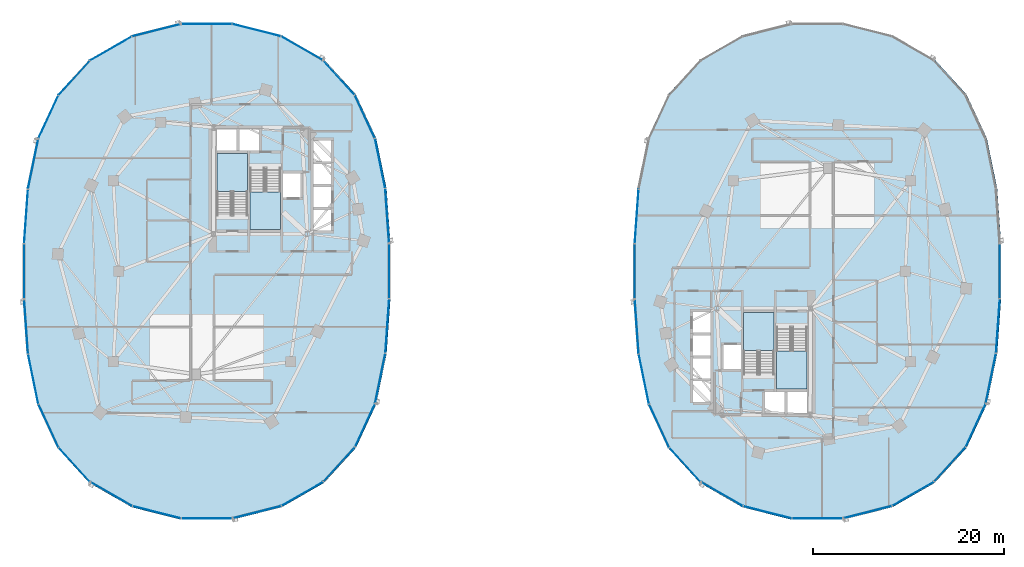
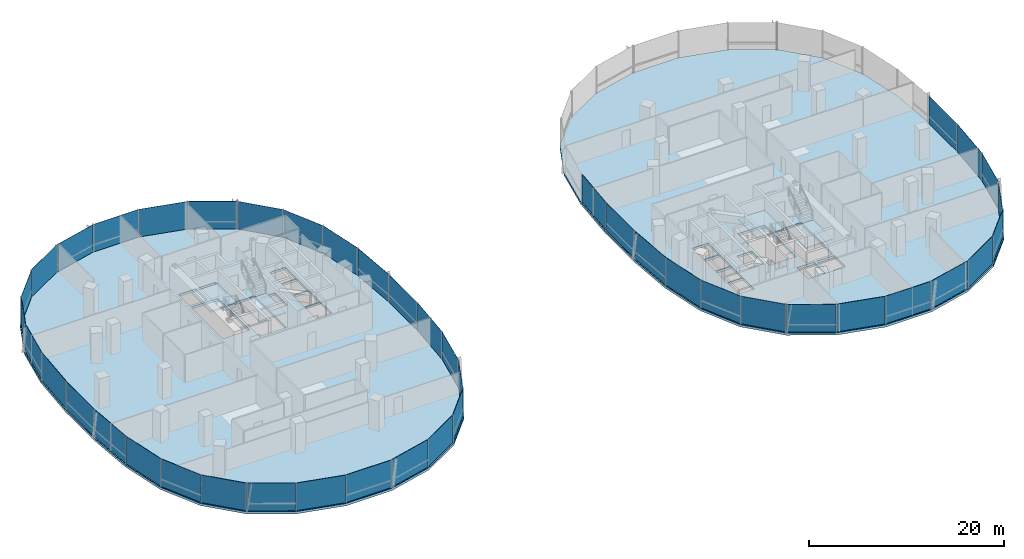
# One storey, part 9 of 21: 44 plates, 6 slabs, 11 elements without a shape of their own.
"""IFC4 building model written with IfcOpenShell, lengths in metres."""

from ifc_helpers import new_model, si_unit, direction, frame, origin, origin_2d, place, context, subcontext, project, spatial, polyline, rectangle, outline, extrude, material, layer, layer_set, type_object, element, aggregate, save


model = new_model("IFC4")

# Units and contexts
model_context = context("Model", 3, precision=1e-05, world=origin(), true_north=direction((0.0, 1.0)))
body_context = subcontext(model_context, "Body", "Model", "MODEL_VIEW")
ifc_project = project(units=[si_unit("LENGTHUNIT", "METRE"), si_unit("AREAUNIT", "SQUARE_METRE"), si_unit("VOLUMEUNIT", "CUBIC_METRE"), si_unit("PLANEANGLEUNIT", "RADIAN"), si_unit("MASSUNIT", "GRAM", prefix="KILO"), si_unit("THERMODYNAMICTEMPERATUREUNIT", "KELVIN"), si_unit("POWERUNIT", "WATT")], contexts=[model_context])

# Site, building, storey
site_placement = place(None, origin())
site = spatial("IfcSite", under=ifc_project, at=site_placement, CompositionType="ELEMENT")
building_placement = place(site_placement, origin())
building = spatial("IfcBuilding", under=site, at=building_placement, Name="Cundina Bronze Exchange", CompositionType="ELEMENT")
storey_placement = place(building_placement, frame((0.0, 0.0, 58.199951171875)))
storey = spatial("IfcBuildingStorey", under=building, at=storey_placement, Name="L14", CompositionType="ELEMENT", Elevation=58.199951171875)

# Curtain wall, plates
ifc_material_1 = material(Name="Anodised Bronze Aluminium 6063-T6", Category="aluminium")
curtain_wall_type = type_object("IfcCurtainWallType", Name="CWS-TRD-LOW", PredefinedType="NOTDEFINED", material=ifc_material_1)
curtain_wall_1_placement = place(storey_placement, origin())
curtain_wall_1 = element("IfcCurtainWall", 1, at=curtain_wall_1_placement, inside=storey, type_object=curtain_wall_type, Name="L14 CW-02 Curtain Wall Run CWR-L14-W1", PredefinedType="NOTDEFINED")
ifc_material_2 = material(Name="Heat-Strengthened Solar-Control Bronze Safety Glass 28mm", Category="glass")
ifc_layer_1 = layer(ifc_material_2, 0.028076171875, Name="Heat-Strengthened Solar-Control Bronze Safety Glass 28mm", Category="glass")
ifc_layer_set_1 = layer_set([ifc_layer_1], Name="Heat-Strengthened Solar-Control Bronze Safety Glass 28mm")
plate_type_1 = type_object("IfcPlateType", Name="PLT-GLZ-VIS28", PredefinedType="CURTAIN_PANEL", material=ifc_layer_set_1)
plate_1_placement = place(storey_placement, frame((-13.81591796875, 11.269775390625, 0.02001953125), z_axis=(0.0, 0.0, 1.0), x_axis=(-0.201419845156, 0.979505000486, 0.0)))
plate_1 = element("IfcPlate", 2, at=plate_1_placement, type_object=plate_type_1, Name="CW-02 Glazed Panel 2", PredefinedType="CURTAIN_PANEL", context=body_context, shape_type="SweptSolid", body=[
    extrude(rectangle(XDim=5.306640625, YDim=0.028076171875, at=origin_2d()), origin(), (0.0, 0.0, 1.0), 3.4599609375),
])
plate_2_placement = place(storey_placement, frame((-15.413818359375, 16.177734375, 0.02001953125), z_axis=(0.0, 0.0, 1.0), x_axis=(-0.42084583328, 0.907132175932, 0.0)))
plate_2 = element("IfcPlate", 3, at=plate_2_placement, type_object=plate_type_1, Name="CW-02 Glazed Panel 3", PredefinedType="CURTAIN_PANEL", context=body_context, shape_type="SweptSolid", body=[
    extrude(rectangle(XDim=4.966552734375, YDim=0.028076171875, at=origin_2d()), origin(), (0.0, 0.0, 1.0), 3.4599609375),
])
plate_3_placement = place(storey_placement, frame((-18.1259765625, 20.267333984375, 0.02001953125), z_axis=(0.0, 0.0, 1.0), x_axis=(-0.674276610219, 0.73847887777, 0.0)))
plate_3 = element("IfcPlate", 4, at=plate_3_placement, type_object=plate_type_1, Name="CW-02 Glazed Panel 4", PredefinedType="CURTAIN_PANEL", context=body_context, shape_type="SweptSolid", body=[
    extrude(rectangle(XDim=4.86328125, YDim=0.028076171875, at=origin_2d()), origin(), (0.0, 0.0, 1.0), 3.4599609375),
])
plate_4_placement = place(storey_placement, frame((-21.980712890625, 23.34423828125, 0.02001953125), z_axis=(0.0, 0.0, 1.0), x_axis=(-0.867105478933, 0.498124571171, 0.0)))
plate_4 = element("IfcPlate", 5, at=plate_4_placement, type_object=plate_type_1, Name="CW-02 Glazed Panel 5", PredefinedType="CURTAIN_PANEL", context=body_context, shape_type="SweptSolid", body=[
    extrude(rectangle(XDim=5.021240234375, YDim=0.028076171875, at=origin_2d()), origin(), (0.0, 0.0, 1.0), 3.4599609375),
])
plate_5_placement = place(storey_placement, frame((-32.0, 25.905029296875, 0.02001953125), z_axis=(0.0, 0.0, 1.0), x_axis=(-1.0, 0.0, 0.0)))
plate_5 = element("IfcPlate", 6, at=plate_5_placement, type_object=plate_type_1, Name="CW-02 Glazed Panel 7", PredefinedType="CURTAIN_PANEL", context=body_context, shape_type="SweptSolid", body=[
    extrude(rectangle(XDim=5.323974609375, YDim=0.028076171875, at=origin_2d()), origin(), (0.0, 0.0, 1.0), 3.4599609375),
])

curtain_wall_2_placement = place(storey_placement, origin())
curtain_wall_2 = element("IfcCurtainWall", 7, at=curtain_wall_2_placement, inside=storey, type_object=curtain_wall_type, Name="L14 CW-02 Curtain Wall Run CWR-L14-W2", PredefinedType="NOTDEFINED")
plate_6_placement = place(storey_placement, frame((-37.255615234375, 25.256591796875, 0.02001953125), z_axis=(0.0, 0.0, 1.0), x_axis=(-0.969488149345, -0.245138182011, 0.0)))
plate_6 = element("IfcPlate", 8, at=plate_6_placement, type_object=plate_type_1, Name="CW-02 Glazed Panel 1", PredefinedType="CURTAIN_PANEL", context=body_context, shape_type="SweptSolid", body=[
    extrude(rectangle(XDim=5.2333984375, YDim=0.028076171875, at=origin_2d()), origin(), (0.0, 0.0, 1.0), 3.4599609375),
])
plate_7_placement = place(storey_placement, frame((-42.019287109375, 23.34423828125, 0.02001953125), z_axis=(0.0, 0.0, 1.0), x_axis=(-0.867105478933, -0.498124571171, 0.0)))
plate_7 = element("IfcPlate", 9, at=plate_7_placement, type_object=plate_type_1, Name="CW-02 Glazed Panel 2", PredefinedType="CURTAIN_PANEL", context=body_context, shape_type="SweptSolid", body=[
    extrude(rectangle(XDim=5.021240234375, YDim=0.028076171875, at=origin_2d()), origin(), (0.0, 0.0, 1.0), 3.4599609375),
])
plate_8_placement = place(storey_placement, frame((-45.8740234375, 20.267333984375, 0.02001953125), z_axis=(0.0, 0.0, 1.0), x_axis=(-0.674276610219, -0.73847887777, 0.0)))
plate_8 = element("IfcPlate", 10, at=plate_8_placement, type_object=plate_type_1, Name="CW-02 Glazed Panel 3", PredefinedType="CURTAIN_PANEL", context=body_context, shape_type="SweptSolid", body=[
    extrude(rectangle(XDim=4.86328125, YDim=0.028076171875, at=origin_2d()), origin(), (0.0, 0.0, 1.0), 3.4599609375),
])
plate_9_placement = place(storey_placement, frame((-48.586181640625, 16.177734375, 0.02001953125), z_axis=(0.0, 0.0, 1.0), x_axis=(-0.42084583328, -0.907132175932, 0.0)))
plate_9 = element("IfcPlate", 11, at=plate_9_placement, type_object=plate_type_1, Name="CW-02 Glazed Panel 4", PredefinedType="CURTAIN_PANEL", context=body_context, shape_type="SweptSolid", body=[
    extrude(rectangle(XDim=4.966552734375, YDim=0.028076171875, at=origin_2d()), origin(), (0.0, 0.0, 1.0), 3.4599609375),
])
plate_10_placement = place(storey_placement, frame((-50.9267578125, 5.783935546875, 0.02001953125), z_axis=(0.0, 0.0, 1.0), x_axis=(-0.070278787473, -0.997527389113, 0.0)))
plate_10 = element("IfcPlate", 12, at=plate_10_placement, type_object=plate_type_1, Name="CW-02 Glazed Panel 6", PredefinedType="CURTAIN_PANEL", context=body_context, shape_type="SweptSolid", body=[
    extrude(rectangle(XDim=5.644287109375, YDim=0.028076171875, at=origin_2d()), origin(), (0.0, 0.0, 1.0), 3.4599609375),
])
plate_11_placement = place(storey_placement, frame((-51.1279296875, 0.0, 0.02001953125), z_axis=(0.0, 0.0, 1.0), x_axis=(0.0, -1.0, 0.0)))
plate_11 = element("IfcPlate", 13, at=plate_11_placement, type_object=plate_type_1, Name="CW-02 Glazed Panel 7", PredefinedType="CURTAIN_PANEL", context=body_context, shape_type="SweptSolid", body=[
    extrude(rectangle(XDim=5.77587890625, YDim=0.028076171875, at=origin_2d()), origin(), (0.0, 0.0, 1.0), 3.4599609375),
])

curtain_wall_3_placement = place(storey_placement, origin())
curtain_wall_3 = element("IfcCurtainWall", 14, at=curtain_wall_3_placement, inside=storey, type_object=curtain_wall_type, Name="L14 CW-02 Curtain Wall Run CWR-L14-W3", PredefinedType="NOTDEFINED")
plate_12_placement = place(storey_placement, frame((-50.9267578125, -5.783935546875, 0.02001953125), z_axis=(0.0, 0.0, 1.0), x_axis=(0.070278787473, -0.997527389113, 0.0)))
plate_12 = element("IfcPlate", 15, at=plate_12_placement, type_object=plate_type_1, Name="CW-02 Glazed Panel 1", PredefinedType="CURTAIN_PANEL", context=body_context, shape_type="SweptSolid", body=[
    extrude(rectangle(XDim=5.644287109375, YDim=0.028076171875, at=origin_2d()), origin(), (0.0, 0.0, 1.0), 3.4599609375),
])
plate_13_placement = place(storey_placement, frame((-50.18408203125, -11.269775390625, 0.02001953125), z_axis=(0.0, 0.0, 1.0), x_axis=(0.201419845156, -0.979505000486, 0.0)))
plate_13 = element("IfcPlate", 16, at=plate_13_placement, type_object=plate_type_1, Name="CW-02 Glazed Panel 2", PredefinedType="CURTAIN_PANEL", context=body_context, shape_type="SweptSolid", body=[
    extrude(rectangle(XDim=5.306640625, YDim=0.028076171875, at=origin_2d()), origin(), (0.0, 0.0, 1.0), 3.4599609375),
])
plate_14_placement = place(storey_placement, frame((-48.586181640625, -16.177734375, 0.02001953125), z_axis=(0.0, 0.0, 1.0), x_axis=(0.42084583328, -0.907132175932, 0.0)))
plate_14 = element("IfcPlate", 17, at=plate_14_placement, type_object=plate_type_1, Name="CW-02 Glazed Panel 3", PredefinedType="CURTAIN_PANEL", context=body_context, shape_type="SweptSolid", body=[
    extrude(rectangle(XDim=4.966552734375, YDim=0.028076171875, at=origin_2d()), origin(), (0.0, 0.0, 1.0), 3.4599609375),
])
plate_15_placement = place(storey_placement, frame((-42.019287109375, -23.34423828125, 0.02001953125), z_axis=(0.0, 0.0, 1.0), x_axis=(0.867105478933, -0.498124571171, 0.0)))
plate_15 = element("IfcPlate", 18, at=plate_15_placement, type_object=plate_type_1, Name="CW-02 Glazed Panel 5", PredefinedType="CURTAIN_PANEL", context=body_context, shape_type="SweptSolid", body=[
    extrude(rectangle(XDim=5.021240234375, YDim=0.028076171875, at=origin_2d()), origin(), (0.0, 0.0, 1.0), 3.4599609375),
])
plate_16_placement = place(storey_placement, frame((-37.255615234375, -25.256591796875, 0.02001953125), z_axis=(0.0, 0.0, 1.0), x_axis=(0.969488149345, -0.245138182011, 0.0)))
plate_16 = element("IfcPlate", 19, at=plate_16_placement, type_object=plate_type_1, Name="CW-02 Glazed Panel 6", PredefinedType="CURTAIN_PANEL", context=body_context, shape_type="SweptSolid", body=[
    extrude(rectangle(XDim=5.2333984375, YDim=0.028076171875, at=origin_2d()), origin(), (0.0, 0.0, 1.0), 3.4599609375),
])
plate_17_placement = place(storey_placement, frame((-32.0, -25.905029296875, 0.02001953125), z_axis=(0.0, 0.0, 1.0), x_axis=(1.0, 0.0, 0.0)))
plate_17 = element("IfcPlate", 20, at=plate_17_placement, type_object=plate_type_1, Name="CW-02 Glazed Panel 7", PredefinedType="CURTAIN_PANEL", context=body_context, shape_type="SweptSolid", body=[
    extrude(rectangle(XDim=5.323974609375, YDim=0.028076171875, at=origin_2d()), origin(), (0.0, 0.0, 1.0), 3.4599609375),
])

curtain_wall_4_placement = place(storey_placement, origin())
curtain_wall_4 = element("IfcCurtainWall", 21, at=curtain_wall_4_placement, inside=storey, type_object=curtain_wall_type, Name="L14 CW-02 Curtain Wall Run CWR-L14-W4", PredefinedType="NOTDEFINED")
plate_18_placement = place(storey_placement, frame((-26.744384765625, -25.256591796875, 0.02001953125), z_axis=(0.0, 0.0, 1.0), x_axis=(0.969488149345, 0.245138182011, 0.0)))
plate_18 = element("IfcPlate", 22, at=plate_18_placement, type_object=plate_type_1, Name="CW-02 Glazed Panel 1", PredefinedType="CURTAIN_PANEL", context=body_context, shape_type="SweptSolid", body=[
    extrude(rectangle(XDim=5.2333984375, YDim=0.028076171875, at=origin_2d()), origin(), (0.0, 0.0, 1.0), 3.4599609375),
])
plate_19_placement = place(storey_placement, frame((-21.980712890625, -23.34423828125, 0.02001953125), z_axis=(0.0, 0.0, 1.0), x_axis=(0.867105478933, 0.498124571171, 0.0)))
plate_19 = element("IfcPlate", 23, at=plate_19_placement, type_object=plate_type_1, Name="CW-02 Glazed Panel 2", PredefinedType="CURTAIN_PANEL", context=body_context, shape_type="SweptSolid", body=[
    extrude(rectangle(XDim=5.021240234375, YDim=0.028076171875, at=origin_2d()), origin(), (0.0, 0.0, 1.0), 3.4599609375),
])
plate_20_placement = place(storey_placement, frame((-15.413818359375, -16.177734375, 0.02001953125), z_axis=(0.0, 0.0, 1.0), x_axis=(0.42084583328, 0.907132175932, 0.0)))
plate_20 = element("IfcPlate", 24, at=plate_20_placement, type_object=plate_type_1, Name="CW-02 Glazed Panel 4", PredefinedType="CURTAIN_PANEL", context=body_context, shape_type="SweptSolid", body=[
    extrude(rectangle(XDim=4.966552734375, YDim=0.028076171875, at=origin_2d()), origin(), (0.0, 0.0, 1.0), 3.4599609375),
])
plate_21_placement = place(storey_placement, frame((-13.81591796875, -11.269775390625, 0.02001953125), z_axis=(0.0, 0.0, 1.0), x_axis=(0.201419845156, 0.979505000486, 0.0)))
plate_21 = element("IfcPlate", 25, at=plate_21_placement, type_object=plate_type_1, Name="CW-02 Glazed Panel 5", PredefinedType="CURTAIN_PANEL", context=body_context, shape_type="SweptSolid", body=[
    extrude(rectangle(XDim=5.306640625, YDim=0.028076171875, at=origin_2d()), origin(), (0.0, 0.0, 1.0), 3.4599609375),
])
plate_22_placement = place(storey_placement, frame((-13.0732421875, -5.783935546875, 0.02001953125), z_axis=(0.0, 0.0, 1.0), x_axis=(0.070278787473, 0.997527389113, 0.0)))
plate_22 = element("IfcPlate", 26, at=plate_22_placement, type_object=plate_type_1, Name="CW-02 Glazed Panel 6", PredefinedType="CURTAIN_PANEL", context=body_context, shape_type="SweptSolid", body=[
    extrude(rectangle(XDim=5.644287109375, YDim=0.028076171875, at=origin_2d()), origin(), (0.0, 0.0, 1.0), 3.4599609375),
])
plate_23_placement = place(storey_placement, frame((-12.8720703125, 0.0, 0.02001953125), z_axis=(0.0, 0.0, 1.0), x_axis=(0.0, 1.0, 0.0)))
plate_23 = element("IfcPlate", 27, at=plate_23_placement, type_object=plate_type_1, Name="CW-02 Glazed Panel 7", PredefinedType="CURTAIN_PANEL", context=body_context, shape_type="SweptSolid", body=[
    extrude(rectangle(XDim=5.77587890625, YDim=0.028076171875, at=origin_2d()), origin(), (0.0, 0.0, 1.0), 3.4599609375),
])

curtain_wall_5_placement = place(storey_placement, origin())
curtain_wall_5 = element("IfcCurtainWall", 28, at=curtain_wall_5_placement, inside=storey, type_object=curtain_wall_type, Name="L14 CW-02 Curtain Wall Run CWR-L14-E2", PredefinedType="NOTDEFINED")
plate_24_placement = place(storey_placement, frame((13.0732421875, 5.783935546875, 0.02001953125), z_axis=(0.0, 0.0, 1.0), x_axis=(-0.070278787473, -0.997527389113, 0.0)))
plate_24 = element("IfcPlate", 29, at=plate_24_placement, type_object=plate_type_1, Name="CW-02 Glazed Panel 6", PredefinedType="CURTAIN_PANEL", context=body_context, shape_type="SweptSolid", body=[
    extrude(rectangle(XDim=5.644287109375, YDim=0.028076171875, at=origin_2d()), origin(), (0.0, 0.0, 1.0), 3.4599609375),
])
plate_25_placement = place(storey_placement, frame((12.8720703125, 0.0, 0.02001953125), z_axis=(0.0, 0.0, 1.0), x_axis=(0.0, -1.0, 0.0)))
plate_25 = element("IfcPlate", 30, at=plate_25_placement, type_object=plate_type_1, Name="CW-02 Glazed Panel 7", PredefinedType="CURTAIN_PANEL", context=body_context, shape_type="SweptSolid", body=[
    extrude(rectangle(XDim=5.77587890625, YDim=0.028076171875, at=origin_2d()), origin(), (0.0, 0.0, 1.0), 3.4599609375),
])
aggregate(curtain_wall_5, [plate_24, plate_25])

curtain_wall_6_placement = place(storey_placement, origin())
curtain_wall_6 = element("IfcCurtainWall", 31, at=curtain_wall_6_placement, inside=storey, type_object=curtain_wall_type, Name="L14 CW-02 Curtain Wall Run CWR-L14-E3", PredefinedType="NOTDEFINED")
plate_26_placement = place(storey_placement, frame((13.0732421875, -5.783935546875, 0.02001953125), z_axis=(0.0, 0.0, 1.0), x_axis=(0.070278787473, -0.997527389113, 0.0)))
plate_26 = element("IfcPlate", 32, at=plate_26_placement, type_object=plate_type_1, Name="CW-02 Glazed Panel 1", PredefinedType="CURTAIN_PANEL", context=body_context, shape_type="SweptSolid", body=[
    extrude(rectangle(XDim=5.644287109375, YDim=0.028076171875, at=origin_2d()), origin(), (0.0, 0.0, 1.0), 3.4599609375),
])
plate_27_placement = place(storey_placement, frame((13.81591796875, -11.269775390625, 0.02001953125), z_axis=(0.0, 0.0, 1.0), x_axis=(0.201419845156, -0.979505000486, 0.0)))
plate_27 = element("IfcPlate", 33, at=plate_27_placement, type_object=plate_type_1, Name="CW-02 Glazed Panel 2", PredefinedType="CURTAIN_PANEL", context=body_context, shape_type="SweptSolid", body=[
    extrude(rectangle(XDim=5.306640625, YDim=0.028076171875, at=origin_2d()), origin(), (0.0, 0.0, 1.0), 3.4599609375),
])
plate_28_placement = place(storey_placement, frame((15.413818359375, -16.177734375, 0.02001953125), z_axis=(0.0, 0.0, 1.0), x_axis=(0.42084583328, -0.907132175932, 0.0)))
plate_28 = element("IfcPlate", 34, at=plate_28_placement, type_object=plate_type_1, Name="CW-02 Glazed Panel 3", PredefinedType="CURTAIN_PANEL", context=body_context, shape_type="SweptSolid", body=[
    extrude(rectangle(XDim=4.966552734375, YDim=0.028076171875, at=origin_2d()), origin(), (0.0, 0.0, 1.0), 3.4599609375),
])
plate_29_placement = place(storey_placement, frame((21.980712890625, -23.34423828125, 0.02001953125), z_axis=(0.0, 0.0, 1.0), x_axis=(0.867105478933, -0.498124571171, 0.0)))
plate_29 = element("IfcPlate", 35, at=plate_29_placement, type_object=plate_type_1, Name="CW-02 Glazed Panel 5", PredefinedType="CURTAIN_PANEL", context=body_context, shape_type="SweptSolid", body=[
    extrude(rectangle(XDim=5.021240234375, YDim=0.028076171875, at=origin_2d()), origin(), (0.0, 0.0, 1.0), 3.4599609375),
])
plate_30_placement = place(storey_placement, frame((26.744384765625, -25.256591796875, 0.02001953125), z_axis=(0.0, 0.0, 1.0), x_axis=(0.969488149345, -0.245138182011, 0.0)))
plate_30 = element("IfcPlate", 36, at=plate_30_placement, type_object=plate_type_1, Name="CW-02 Glazed Panel 6", PredefinedType="CURTAIN_PANEL", context=body_context, shape_type="SweptSolid", body=[
    extrude(rectangle(XDim=5.2333984375, YDim=0.028076171875, at=origin_2d()), origin(), (0.0, 0.0, 1.0), 3.4599609375),
])
plate_31_placement = place(storey_placement, frame((32.0, -25.905029296875, 0.02001953125), z_axis=(0.0, 0.0, 1.0), x_axis=(1.0, 0.0, 0.0)))
plate_31 = element("IfcPlate", 37, at=plate_31_placement, type_object=plate_type_1, Name="CW-02 Glazed Panel 7", PredefinedType="CURTAIN_PANEL", context=body_context, shape_type="SweptSolid", body=[
    extrude(rectangle(XDim=5.323974609375, YDim=0.028076171875, at=origin_2d()), origin(), (0.0, 0.0, 1.0), 3.4599609375),
])

curtain_wall_7_placement = place(storey_placement, origin())
curtain_wall_7 = element("IfcCurtainWall", 38, at=curtain_wall_7_placement, inside=storey, type_object=curtain_wall_type, Name="L14 CW-02 Curtain Wall Run CWR-L14-E4", PredefinedType="NOTDEFINED")
plate_32_placement = place(storey_placement, frame((37.255615234375, -25.256591796875, 0.02001953125), z_axis=(0.0, 0.0, 1.0), x_axis=(0.969488149345, 0.245138182011, 0.0)))
plate_32 = element("IfcPlate", 39, at=plate_32_placement, type_object=plate_type_1, Name="CW-02 Glazed Panel 1", PredefinedType="CURTAIN_PANEL", context=body_context, shape_type="SweptSolid", body=[
    extrude(rectangle(XDim=5.2333984375, YDim=0.028076171875, at=origin_2d()), origin(), (0.0, 0.0, 1.0), 3.4599609375),
])
plate_33_placement = place(storey_placement, frame((42.019287109375, -23.34423828125, 0.02001953125), z_axis=(0.0, 0.0, 1.0), x_axis=(0.867105478933, 0.498124571171, 0.0)))
plate_33 = element("IfcPlate", 40, at=plate_33_placement, type_object=plate_type_1, Name="CW-02 Glazed Panel 2", PredefinedType="CURTAIN_PANEL", context=body_context, shape_type="SweptSolid", body=[
    extrude(rectangle(XDim=5.021240234375, YDim=0.028076171875, at=origin_2d()), origin(), (0.0, 0.0, 1.0), 3.4599609375),
])
plate_34_placement = place(storey_placement, frame((48.586181640625, -16.177734375, 0.02001953125), z_axis=(0.0, 0.0, 1.0), x_axis=(0.42084583328, 0.907132175932, 0.0)))
plate_34 = element("IfcPlate", 41, at=plate_34_placement, type_object=plate_type_1, Name="CW-02 Glazed Panel 4", PredefinedType="CURTAIN_PANEL", context=body_context, shape_type="SweptSolid", body=[
    extrude(rectangle(XDim=4.966552734375, YDim=0.028076171875, at=origin_2d()), origin(), (0.0, 0.0, 1.0), 3.4599609375),
])
plate_35_placement = place(storey_placement, frame((50.18408203125, -11.269775390625, 0.02001953125), z_axis=(0.0, 0.0, 1.0), x_axis=(0.201419845156, 0.979505000486, 0.0)))
plate_35 = element("IfcPlate", 42, at=plate_35_placement, type_object=plate_type_1, Name="CW-02 Glazed Panel 5", PredefinedType="CURTAIN_PANEL", context=body_context, shape_type="SweptSolid", body=[
    extrude(rectangle(XDim=5.306640625, YDim=0.028076171875, at=origin_2d()), origin(), (0.0, 0.0, 1.0), 3.4599609375),
])
plate_36_placement = place(storey_placement, frame((50.9267578125, -5.783935546875, 0.02001953125), z_axis=(0.0, 0.0, 1.0), x_axis=(0.070278787473, 0.997527389113, 0.0)))
plate_36 = element("IfcPlate", 43, at=plate_36_placement, type_object=plate_type_1, Name="CW-02 Glazed Panel 6", PredefinedType="CURTAIN_PANEL", context=body_context, shape_type="SweptSolid", body=[
    extrude(rectangle(XDim=5.644287109375, YDim=0.028076171875, at=origin_2d()), origin(), (0.0, 0.0, 1.0), 3.4599609375),
])
plate_37_placement = place(storey_placement, frame((51.1279296875, 0.0, 0.02001953125), z_axis=(0.0, 0.0, 1.0), x_axis=(0.0, 1.0, 0.0)))
plate_37 = element("IfcPlate", 44, at=plate_37_placement, type_object=plate_type_1, Name="CW-02 Glazed Panel 7", PredefinedType="CURTAIN_PANEL", context=body_context, shape_type="SweptSolid", body=[
    extrude(rectangle(XDim=5.77587890625, YDim=0.028076171875, at=origin_2d()), origin(), (0.0, 0.0, 1.0), 3.4599609375),
])

# Plate
ifc_material_3 = material(Name="Dark Bronze Spandrel Glass Panel 32mm", Category="glass")
ifc_layer_2 = layer(ifc_material_3, 0.031982421875, Name="Dark Bronze Spandrel Glass Panel 32mm", Category="glass")
ifc_layer_set_2 = layer_set([ifc_layer_2], Name="Dark Bronze Spandrel Glass Panel 32mm")
plate_type_2 = type_object("IfcPlateType", Name="PLT-SPN-BRZ32", PredefinedType="CURTAIN_PANEL", material=ifc_layer_set_2)
plate_38_placement = place(storey_placement, frame((-13.0732421875, 5.783935546875, 0.02001953125), z_axis=(0.0, 0.0, 1.0), x_axis=(-0.070278787473, 0.997527389113, 0.0)))
plate_38 = element("IfcPlate", 45, at=plate_38_placement, type_object=plate_type_2, Name="CW-02 Glazed Panel 1", PredefinedType="CURTAIN_PANEL", context=body_context, shape_type="SweptSolid", body=[
    extrude(rectangle(XDim=5.644287109375, YDim=0.031982421875, at=origin_2d()), origin(), (0.0, 0.0, 1.0), 3.4599609375),
])

plate_39_placement = place(storey_placement, frame((-26.744384765625, 25.256591796875, 0.02001953125), z_axis=(0.0, 0.0, 1.0), x_axis=(-0.969488149345, 0.245138182011, 0.0)))
plate_39 = element("IfcPlate", 46, at=plate_39_placement, type_object=plate_type_2, Name="CW-02 Glazed Panel 6", PredefinedType="CURTAIN_PANEL", context=body_context, shape_type="SweptSolid", body=[
    extrude(rectangle(XDim=5.2333984375, YDim=0.031982421875, at=origin_2d()), origin(), (0.0, 0.0, 1.0), 3.4599609375),
])

aggregate(curtain_wall_1, [plate_38, plate_1, plate_2, plate_3, plate_4, plate_39, plate_5])

plate_40_placement = place(storey_placement, frame((-50.18408203125, 11.269775390625, 0.02001953125), z_axis=(0.0, 0.0, 1.0), x_axis=(-0.201419845156, -0.979505000486, 0.0)))
plate_40 = element("IfcPlate", 47, at=plate_40_placement, type_object=plate_type_2, Name="CW-02 Glazed Panel 5", PredefinedType="CURTAIN_PANEL", context=body_context, shape_type="SweptSolid", body=[
    extrude(rectangle(XDim=5.306640625, YDim=0.031982421875, at=origin_2d()), origin(), (0.0, 0.0, 1.0), 3.4599609375),
])

aggregate(curtain_wall_2, [plate_6, plate_7, plate_8, plate_9, plate_40, plate_10, plate_11])

plate_41_placement = place(storey_placement, frame((-45.8740234375, -20.267333984375, 0.02001953125), z_axis=(0.0, 0.0, 1.0), x_axis=(0.674276610219, -0.73847887777, 0.0)))
plate_41 = element("IfcPlate", 48, at=plate_41_placement, type_object=plate_type_2, Name="CW-02 Glazed Panel 4", PredefinedType="CURTAIN_PANEL", context=body_context, shape_type="SweptSolid", body=[
    extrude(rectangle(XDim=4.86328125, YDim=0.031982421875, at=origin_2d()), origin(), (0.0, 0.0, 1.0), 3.4599609375),
])

aggregate(curtain_wall_3, [plate_12, plate_13, plate_14, plate_41, plate_15, plate_16, plate_17])

plate_42_placement = place(storey_placement, frame((-18.1259765625, -20.267333984375, 0.02001953125), z_axis=(0.0, 0.0, 1.0), x_axis=(0.674276610219, 0.73847887777, 0.0)))
plate_42 = element("IfcPlate", 49, at=plate_42_placement, type_object=plate_type_2, Name="CW-02 Glazed Panel 3", PredefinedType="CURTAIN_PANEL", context=body_context, shape_type="SweptSolid", body=[
    extrude(rectangle(XDim=4.86328125, YDim=0.031982421875, at=origin_2d()), origin(), (0.0, 0.0, 1.0), 3.4599609375),
])

aggregate(curtain_wall_4, [plate_18, plate_19, plate_42, plate_20, plate_21, plate_22, plate_23])

plate_43_placement = place(storey_placement, frame((18.1259765625, -20.267333984375, 0.02001953125), z_axis=(0.0, 0.0, 1.0), x_axis=(0.674276610219, -0.73847887777, 0.0)))
plate_43 = element("IfcPlate", 50, at=plate_43_placement, type_object=plate_type_2, Name="CW-02 Glazed Panel 4", PredefinedType="CURTAIN_PANEL", context=body_context, shape_type="SweptSolid", body=[
    extrude(rectangle(XDim=4.86328125, YDim=0.031982421875, at=origin_2d()), origin(), (0.0, 0.0, 1.0), 3.4599609375),
])

aggregate(curtain_wall_6, [plate_26, plate_27, plate_28, plate_43, plate_29, plate_30, plate_31])

plate_44_placement = place(storey_placement, frame((45.8740234375, -20.267333984375, 0.02001953125), z_axis=(0.0, 0.0, 1.0), x_axis=(0.674276610219, 0.73847887777, 0.0)))
plate_44 = element("IfcPlate", 51, at=plate_44_placement, type_object=plate_type_2, Name="CW-02 Glazed Panel 3", PredefinedType="CURTAIN_PANEL", context=body_context, shape_type="SweptSolid", body=[
    extrude(rectangle(XDim=4.86328125, YDim=0.031982421875, at=origin_2d()), origin(), (0.0, 0.0, 1.0), 3.4599609375),
])

aggregate(curtain_wall_7, [plate_32, plate_33, plate_44, plate_34, plate_35, plate_36, plate_37])

# Stair, slab
ifc_material_4 = material(Name="Concrete C40/50", Category="concrete")
stair_type = type_object("IfcStairType", Name="STR-TRD-380", PredefinedType="HALF_TURN_STAIR", material=ifc_material_4)
stair_1_placement = place(storey_placement, origin())
stair_1 = element("IfcStair", 52, at=stair_1_placement, inside=storey, type_object=stair_type, Name="L14 Smokeproof Exit Stair W1", PredefinedType="HALF_TURN_STAIR")
ifc_layer_3 = layer(ifc_material_4, 0.199951171875, Name="Concrete C40/50", Category="concrete")
ifc_layer_set_3 = layer_set([ifc_layer_3], Name="Concrete C40/50")
slab_type_1 = type_object("IfcSlabType", Name="SLB-LND-200", PredefinedType="LANDING", material=ifc_layer_set_3)
slab_1_placement = place(storey_placement, frame((0.0, 0.0, 1.699951171875)))
slab_1 = element("IfcSlab", 53, at=slab_1_placement, type_object=slab_type_1, Name="ST-W1 landing 1", PredefinedType="LANDING", context=body_context, shape_type="SweptSolid", body=[
    extrude(outline(polyline([(-27.739990234375, 8.3701171875), (-27.739990234375, 12.35009765625), (-30.89990234375, 12.35009765625), (-30.89990234375, 8.3701171875), (-27.739990234375, 8.3701171875)])), origin(), (0.0, 0.0, 1.0), 0.2001953125),
])
aggregate(stair_1, [slab_1])

stair_2_placement = place(storey_placement, origin())
stair_2 = element("IfcStair", 54, at=stair_2_placement, inside=storey, type_object=stair_type, Name="L14 Smokeproof Exit Stair W2", PredefinedType="HALF_TURN_STAIR")
slab_2_placement = place(storey_placement, frame((0.0, 0.0, 1.699951171875)))
slab_2 = element("IfcSlab", 55, at=slab_2_placement, type_object=slab_type_1, Name="ST-W2 landing 1", PredefinedType="LANDING", context=body_context, shape_type="SweptSolid", body=[
    extrude(outline(polyline([(-27.43994140625, 8.330078125), (-27.43994140625, 4.35009765625), (-24.280029296875, 4.35009765625), (-24.280029296875, 8.330078125), (-27.43994140625, 8.330078125)])), origin(), (0.0, 0.0, 1.0), 0.2001953125),
])
aggregate(stair_2, [slab_2])

stair_3_placement = place(storey_placement, origin())
stair_3 = element("IfcStair", 56, at=stair_3_placement, inside=storey, type_object=stair_type, Name="L14 Smokeproof Exit Stair E1", PredefinedType="HALF_TURN_STAIR")
slab_3_placement = place(storey_placement, frame((0.0, 0.0, 1.699951171875)))
slab_3 = element("IfcSlab", 57, at=slab_3_placement, type_object=slab_type_1, Name="ST-E1 landing 1", PredefinedType="LANDING", context=body_context, shape_type="SweptSolid", body=[
    extrude(outline(polyline([(27.739990234375, -8.3701171875), (27.739990234375, -12.35009765625), (30.89990234375, -12.35009765625), (30.89990234375, -8.3701171875), (27.739990234375, -8.3701171875)])), origin(), (0.0, 0.0, 1.0), 0.2001953125),
])
aggregate(stair_3, [slab_3])

stair_4_placement = place(storey_placement, origin())
stair_4 = element("IfcStair", 58, at=stair_4_placement, inside=storey, type_object=stair_type, Name="L14 Smokeproof Exit Stair E2", PredefinedType="HALF_TURN_STAIR")
slab_4_placement = place(storey_placement, frame((0.0, 0.0, 1.699951171875)))
slab_4 = element("IfcSlab", 59, at=slab_4_placement, type_object=slab_type_1, Name="ST-E2 landing 1", PredefinedType="LANDING", context=body_context, shape_type="SweptSolid", body=[
    extrude(outline(polyline([(27.43994140625, -8.330078125), (27.43994140625, -4.35009765625), (24.280029296875, -4.35009765625), (24.280029296875, -8.330078125), (27.43994140625, -8.330078125)])), origin(), (0.0, 0.0, 1.0), 0.2001953125),
])
aggregate(stair_4, [slab_4])

# Slabs
ifc_material_5 = material(Name="Concrete C50/60", Category="concrete")
ifc_layer_4 = layer(ifc_material_5, 0.300048828125, Name="Concrete C50/60", Category="concrete")
ifc_layer_set_4 = layer_set([ifc_layer_4], Name="Concrete C50/60")
slab_type_2 = type_object("IfcSlabType", Name="SLB-TRD-300", PredefinedType="FLOOR", material=ifc_layer_set_4)
slab_5_placement = place(storey_placement, frame((0.0, 0.0, -0.300048828125)))
element("IfcSlab", 60, at=slab_5_placement, inside=storey, type_object=slab_type_2, Name="L14 Leg W Structural Floor Slab", PredefinedType="FLOOR", context=body_context, shape_type="SweptSolid", body=[
    extrude(outline(polyline([(-12.741943359375, 2.93310546875), (-13.14501953125, 8.653076171875), (-14.23193359375, 13.93896484375), (-16.360107421875, 18.52587890625), (-19.699951171875, 22.18408203125), (-24.132080078125, 24.72998046875), (-29.29296875, 26.034912109375), (-34.70703125, 26.034912109375), (-39.867919921875, 24.72998046875), (-44.300048828125, 22.18408203125), (-47.639892578125, 18.52587890625), (-49.76806640625, 13.93896484375), (-50.85498046875, 8.653076171875), (-51.258056640625, 2.93310546875), (-51.258056640625, -2.93310546875), (-50.85498046875, -8.653076171875), (-49.76806640625, -13.93896484375), (-47.639892578125, -18.52587890625), (-44.300048828125, -22.18408203125), (-39.867919921875, -24.72998046875), (-34.70703125, -26.034912109375), (-29.29296875, -26.034912109375), (-24.132080078125, -24.72998046875), (-19.699951171875, -22.18408203125), (-16.360107421875, -18.52587890625), (-14.23193359375, -13.93896484375), (-13.14501953125, -8.653076171875), (-12.741943359375, -2.93310546875), (-12.741943359375, 2.93310546875)]), holes=[polyline([(-27.739990234375, 5.85009765625), (-27.739990234375, 12.35009765625), (-30.89990234375, 12.35009765625), (-30.89990234375, 5.85009765625), (-27.739990234375, 5.85009765625)]), polyline([(-27.43994140625, 10.85009765625), (-27.43994140625, 4.35009765625), (-24.280029296875, 4.35009765625), (-24.280029296875, 10.85009765625), (-27.43994140625, 10.85009765625)]), polyline([(-23.97998046875, 10.25), (-22.179931640625, 10.25), (-22.179931640625, 7.75), (-23.97998046875, 7.75), (-23.97998046875, 10.25)]), polyline([(-30.89990234375, 14.949951171875), (-28.85009765625, 14.949951171875), (-28.85009765625, 12.64990234375), (-30.89990234375, 12.64990234375), (-30.89990234375, 14.949951171875)]), polyline([(-28.550048828125, 14.949951171875), (-26.5, 14.949951171875), (-26.5, 12.64990234375), (-28.550048828125, 12.64990234375), (-28.550048828125, 14.949951171875)]), polyline([(-20.800048828125, 13.699951171875), (-18.949951171875, 13.699951171875), (-18.949951171875, 11.449951171875), (-20.800048828125, 11.449951171875), (-20.800048828125, 13.699951171875)]), polyline([(-20.800048828125, 11.300048828125), (-18.949951171875, 11.300048828125), (-18.949951171875, 9.050048828125), (-20.800048828125, 9.050048828125), (-20.800048828125, 11.300048828125)]), polyline([(-20.800048828125, 8.89990234375), (-18.949951171875, 8.89990234375), (-18.949951171875, 6.64990234375), (-20.800048828125, 6.64990234375), (-20.800048828125, 8.89990234375)]), polyline([(-20.800048828125, 6.5), (-18.949951171875, 6.5), (-18.949951171875, 4.25), (-20.800048828125, 4.25), (-20.800048828125, 6.5)])]), origin(), (0.0, 0.0, 1.0), 0.300048828125),
])
slab_6_placement = place(storey_placement, frame((0.0, 0.0, -0.300048828125)))
element("IfcSlab", 61, at=slab_6_placement, inside=storey, type_object=slab_type_2, Name="L14 Leg E Structural Floor Slab", PredefinedType="FLOOR", context=body_context, shape_type="SweptSolid", body=[
    extrude(outline(polyline([(51.258056640625, 2.93310546875), (50.85498046875, 8.653076171875), (49.76806640625, 13.93896484375), (47.639892578125, 18.52587890625), (44.300048828125, 22.18408203125), (39.867919921875, 24.72998046875), (34.70703125, 26.034912109375), (29.29296875, 26.034912109375), (24.132080078125, 24.72998046875), (19.699951171875, 22.18408203125), (16.360107421875, 18.52587890625), (14.23193359375, 13.93896484375), (13.14501953125, 8.653076171875), (12.741943359375, 2.93310546875), (12.741943359375, -2.93310546875), (13.14501953125, -8.653076171875), (14.23193359375, -13.93896484375), (16.360107421875, -18.52587890625), (19.699951171875, -22.18408203125), (24.132080078125, -24.72998046875), (29.29296875, -26.034912109375), (34.70703125, -26.034912109375), (39.867919921875, -24.72998046875), (44.300048828125, -22.18408203125), (47.639892578125, -18.52587890625), (49.76806640625, -13.93896484375), (50.85498046875, -8.653076171875), (51.258056640625, -2.93310546875), (51.258056640625, 2.93310546875)]), holes=[polyline([(27.739990234375, -5.85009765625), (27.739990234375, -12.35009765625), (30.89990234375, -12.35009765625), (30.89990234375, -5.85009765625), (27.739990234375, -5.85009765625)]), polyline([(27.43994140625, -10.85009765625), (27.43994140625, -4.35009765625), (24.280029296875, -4.35009765625), (24.280029296875, -10.85009765625), (27.43994140625, -10.85009765625)]), polyline([(22.179931640625, -7.75), (23.97998046875, -7.75), (23.97998046875, -10.25), (22.179931640625, -10.25), (22.179931640625, -7.75)]), polyline([(28.85009765625, -12.64990234375), (30.89990234375, -12.64990234375), (30.89990234375, -14.949951171875), (28.85009765625, -14.949951171875), (28.85009765625, -12.64990234375)]), polyline([(26.5, -12.64990234375), (28.550048828125, -12.64990234375), (28.550048828125, -14.949951171875), (26.5, -14.949951171875), (26.5, -12.64990234375)]), polyline([(18.949951171875, -11.449951171875), (20.800048828125, -11.449951171875), (20.800048828125, -13.699951171875), (18.949951171875, -13.699951171875), (18.949951171875, -11.449951171875)]), polyline([(18.949951171875, -9.050048828125), (20.800048828125, -9.050048828125), (20.800048828125, -11.300048828125), (18.949951171875, -11.300048828125), (18.949951171875, -9.050048828125)]), polyline([(18.949951171875, -6.64990234375), (20.800048828125, -6.64990234375), (20.800048828125, -8.89990234375), (18.949951171875, -8.89990234375), (18.949951171875, -6.64990234375)]), polyline([(18.949951171875, -4.25), (20.800048828125, -4.25), (20.800048828125, -6.5), (18.949951171875, -6.5), (18.949951171875, -4.25)])]), origin(), (0.0, 0.0, 1.0), 0.300048828125),
])

save(model, "model.ifc")
